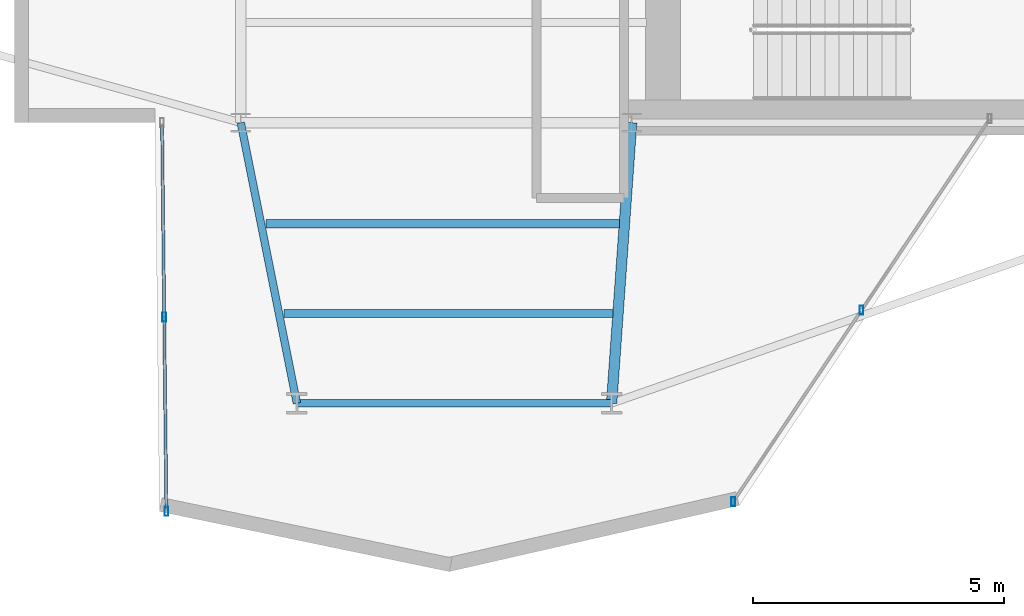
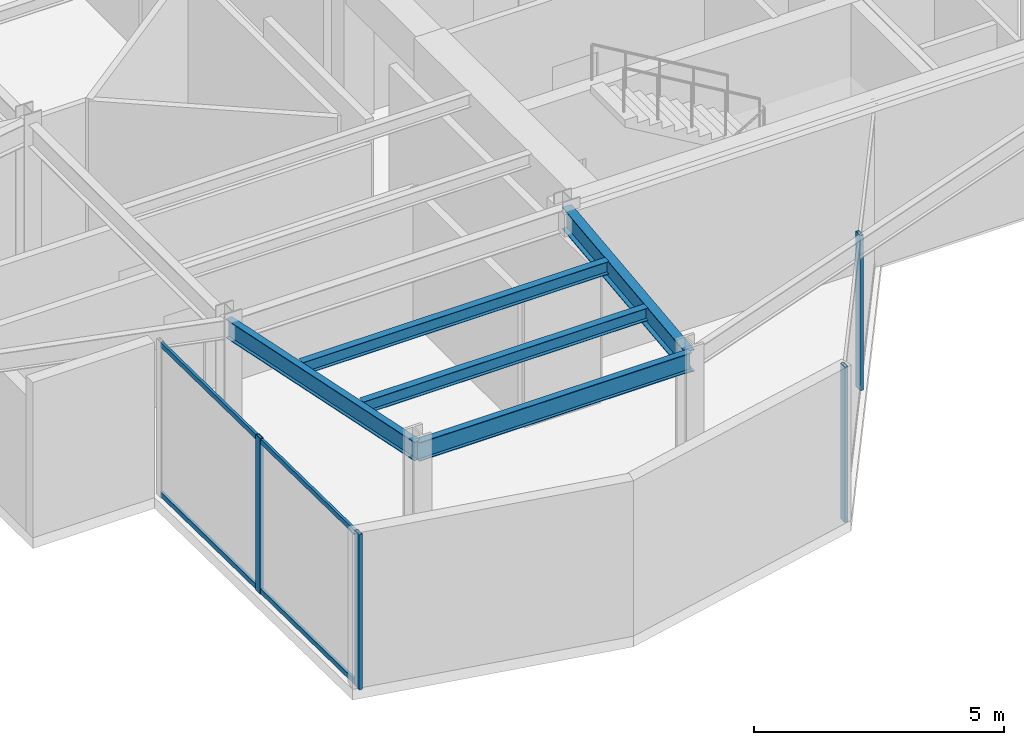
# One storey, part 6 of 22: 6 members, 5 beams, 2 elements without a shape of their own.
"""IFC4 building model written with IfcOpenShell, lengths in metres."""

from ifc_helpers import new_model, si_unit, direction, frame, origin, origin_2d, place, context, subcontext, project, spatial, hollow_rectangle, i_section, extrude, material, layer, layer_set, material_profile, profile_set, type_object, element, aggregate, save


model = new_model("IFC4")

# Units and contexts
model_context = context("Model", 3, precision=1e-05, world=origin(), true_north=direction((0.0, 1.0)))
body_context = subcontext(model_context, "Body", "Model", "MODEL_VIEW")
ifc_project = project(units=[si_unit("LENGTHUNIT", "METRE"), si_unit("AREAUNIT", "SQUARE_METRE"), si_unit("VOLUMEUNIT", "CUBIC_METRE"), si_unit("PLANEANGLEUNIT", "RADIAN"), si_unit("MASSUNIT", "GRAM", prefix="KILO")], contexts=[model_context])

# Site, building, storey
site_placement = place(None, origin())
site = spatial("IfcSite", under=ifc_project, at=site_placement, CompositionType="ELEMENT")
building_placement = place(site_placement, origin())
building = spatial("IfcBuilding", under=site, at=building_placement, Name="Veymaron Broadcast Tower", CompositionType="ELEMENT")
storey_placement = place(building_placement, frame((0.0, 0.0, 204.0)))
storey = spatial("IfcBuildingStorey", under=building, at=storey_placement, Name="L47", CompositionType="ELEMENT", Elevation=204.0)

# Beams
ifc_material_1 = material(Name="Structural steel ASTM A992 Gr 50", Category="steel")
ifc_material_profile_1 = material_profile(ifc_material_1, i_section(OverallWidth=0.2099609375, OverallDepth=0.537109375, WebThickness=0.010986328125, FlangeThickness=0.017333984375, at=origin_2d()), Name="W530X101")
ifc_profile_set_1 = profile_set([ifc_material_profile_1], Name="Structural steel ASTM A992 Gr 50")
beam_type_1 = type_object("IfcBeamType", Name="BM-FG3", PredefinedType="BEAM", material=ifc_profile_set_1)
beam_1_placement = place(storey_placement, frame((39.0, 16.0, 3.521484375), z_axis=(-0.071228508128, -0.997460024076, 0.0), x_axis=(0.997460024076, -0.071228508128, 0.0)))
element("IfcBeam", 1, at=beam_1_placement, inside=storey, type_object=beam_type_1, Name="L47 primary structural floor girder", PredefinedType="BEAM", context=body_context, shape_type="SweptSolid", body=[
    extrude(i_section(OverallWidth=0.2099609375, OverallDepth=0.537109375, WebThickness=0.010986328125, FlangeThickness=0.017333984375, at=origin_2d()), origin(), (0.0, 0.0, 1.0), 5.6142578125),
])
ifc_material_profile_2 = material_profile(ifc_material_1, i_section(OverallWidth=0.1650390625, OverallDepth=0.31005859375, WebThickness=0.005859375, FlangeThickness=0.009765625, at=origin_2d()), Name="W310X39")
ifc_profile_set_2 = profile_set([ifc_material_profile_2], Name="Structural steel ASTM A992 Gr 50")
beam_type_2 = type_object("IfcBeamType", Name="BM-JS3", PredefinedType="JOIST", material=ifc_profile_set_2)
beam_2_placement = place(storey_placement, frame((31.703125, 13.98388671875, 3.635009765625), z_axis=(1.0, 0.0, 0.0), x_axis=(0.0, 1.0, 0.0)))
element("IfcBeam", 2, at=beam_2_placement, inside=storey, type_object=beam_type_2, Name="L47 Arm-C secondary joist 1", PredefinedType="JOIST", context=body_context, shape_type="SweptSolid", body=[
    extrude(i_section(OverallWidth=0.1650390625, OverallDepth=0.31005859375, WebThickness=0.005859375, FlangeThickness=0.009765625, at=origin_2d()), origin(), (0.0, 0.0, 1.0), 7.052978515625),
])
beam_3_placement = place(storey_placement, frame((32.0615234375, 12.19189453125, 3.635009765625), z_axis=(1.0, 0.0, 0.0), x_axis=(0.0, 1.0, 0.0)))
element("IfcBeam", 3, at=beam_3_placement, inside=storey, type_object=beam_type_2, Name="L47 Arm-C secondary joist 2", PredefinedType="JOIST", context=body_context, shape_type="SweptSolid", body=[
    extrude(i_section(OverallWidth=0.1650390625, OverallDepth=0.31005859375, WebThickness=0.005859375, FlangeThickness=0.009765625, at=origin_2d()), origin(), (0.0, 0.0, 1.0), 6.56640625),
])
ifc_material_profile_3 = material_profile(ifc_material_1, i_section(OverallWidth=0.154052734375, OverallDepth=0.458984375, WebThickness=0.009033203125, FlangeThickness=0.015380859375, at=origin_2d()), Name="W460X68")
ifc_profile_set_3 = profile_set([ifc_material_profile_3], Name="Structural steel ASTM A992 Gr 50")
beam_type_3 = type_object("IfcBeamType", Name="BM-SP2", PredefinedType="SPANDREL", material=ifc_profile_set_3)
beam_4_placement = place(storey_placement, frame((31.199951171875, 16.0, 3.560546875), z_axis=(0.196132577048, -0.980577387166, 0.0), x_axis=(0.980577387166, 0.196132577048, 0.0)))
element("IfcBeam", 4, at=beam_4_placement, inside=storey, type_object=beam_type_3, Name="L47 primary structural floor girder", PredefinedType="SPANDREL", context=body_context, shape_type="SweptSolid", body=[
    extrude(i_section(OverallWidth=0.154052734375, OverallDepth=0.458984375, WebThickness=0.009033203125, FlangeThickness=0.015380859375, at=origin_2d()), origin(), (0.0, 0.0, 1.0), 5.7109375),
])
beam_5_placement = place(storey_placement, frame((32.320068359375, 10.39990234375, 3.560546875), z_axis=(1.0, 0.0, 0.0), x_axis=(0.0, 1.0, 0.0)))
element("IfcBeam", 5, at=beam_5_placement, inside=storey, type_object=beam_type_3, Name="L47 primary structural floor girder", PredefinedType="SPANDREL", context=body_context, shape_type="SweptSolid", body=[
    extrude(i_section(OverallWidth=0.154052734375, OverallDepth=0.458984375, WebThickness=0.009033203125, FlangeThickness=0.015380859375, at=origin_2d()), origin(), (0.0, 0.0, 1.0), 6.280029296875),
])

# Curtain wall, members
ifc_material_2 = material(Name="Anodised aluminium AA 6063-T6 and laminated low-E dark glass", Category="aluminium")
ifc_layer = layer(ifc_material_2, 0.179931640625)
ifc_layer_set = layer_set([ifc_layer], Name="Anodised aluminium AA 6063-T6 and laminated low-E dark glass")
curtain_wall_type = type_object("IfcCurtainWallType", Name="CW-SYS-05", PredefinedType="NOTDEFINED", material=ifc_layer_set)
curtain_wall_1_placement = place(storey_placement, origin())
curtain_wall_1 = element("IfcCurtainWall", 6, at=curtain_wall_1_placement, inside=storey, type_object=curtain_wall_type, Name="L47 dark-glass curtain wall CW-L47-E17-1", PredefinedType="NOTDEFINED")
ifc_material_3 = material(Name="Anodised aluminium AA 6063-T6", Category="aluminium")
ifc_material_profile_4 = material_profile(ifc_material_3, hollow_rectangle(XDim=0.074951171875, YDim=0.179931640625, WallThickness=0.0048828125, at=origin_2d()), Name="AL180X75X5")
ifc_profile_set_4 = profile_set([ifc_material_profile_4], Name="Anodised aluminium AA 6063-T6")
member_type_1 = type_object("IfcMemberType", Name="CW-MUL-02", PredefinedType="MULLION", material=ifc_profile_set_4)
member_1_placement = place(storey_placement, frame((29.672119140625, 12.12158203125, 0.0), z_axis=(0.0, 0.0, 1.0), x_axis=(1.0, 0.0, 0.0)))
member_1 = element("IfcMember", 7, at=member_1_placement, type_object=member_type_1, Name="CW-L47-E17-1 mullion 1", PredefinedType="MULLION", context=body_context, shape_type="SweptSolid", body=[
    extrude(hollow_rectangle(XDim=0.074951171875, YDim=0.179931640625, WallThickness=0.0048828125, at=origin_2d()), origin(), (0.0, 0.0, 1.0), 3.7900390625),
])
member_2_placement = place(storey_placement, frame((29.715576171875, 8.24169921875, 0.0), z_axis=(0.0, 0.0, 1.0), x_axis=(1.0, 0.0, 0.0)))
member_2 = element("IfcMember", 8, at=member_2_placement, type_object=member_type_1, Name="CW-L47-E17-1 mullion 2", PredefinedType="MULLION", context=body_context, shape_type="SweptSolid", body=[
    extrude(hollow_rectangle(XDim=0.074951171875, YDim=0.179931640625, WallThickness=0.0048828125, at=origin_2d()), origin(), (0.0, 0.0, 1.0), 3.7900390625),
])

curtain_wall_2_placement = place(storey_placement, origin())
curtain_wall_2 = element("IfcCurtainWall", 9, at=curtain_wall_2_placement, inside=storey, type_object=curtain_wall_type, Name="L47 dark-glass curtain wall CW-L47-E20-1", PredefinedType="NOTDEFINED")
member_3_placement = place(storey_placement, frame((41.0283203125, 8.43798828125, 0.0), z_axis=(0.0, 0.0, 1.0), x_axis=(1.0, 0.0, 0.0)))
member_3 = element("IfcMember", 10, at=member_3_placement, type_object=member_type_1, Name="CW-L47-E20-1 mullion 0", PredefinedType="MULLION", context=body_context, shape_type="SweptSolid", body=[
    extrude(hollow_rectangle(XDim=0.074951171875, YDim=0.179931640625, WallThickness=0.0048828125, at=origin_2d()), origin(), (0.0, 0.0, 1.0), 3.7900390625),
])
member_4_placement = place(storey_placement, frame((43.587890625, 12.2578125, 0.0), z_axis=(0.0, 0.0, 1.0), x_axis=(1.0, 0.0, 0.0)))
member_4 = element("IfcMember", 11, at=member_4_placement, type_object=member_type_1, Name="CW-L47-E20-1 mullion 1", PredefinedType="MULLION", context=body_context, shape_type="SweptSolid", body=[
    extrude(hollow_rectangle(XDim=0.074951171875, YDim=0.179931640625, WallThickness=0.0048828125, at=origin_2d()), origin(), (0.0, 0.0, 1.0), 3.7900390625),
])
aggregate(curtain_wall_2, [member_3, member_4])

# Member
ifc_material_profile_5 = material_profile(ifc_material_3, hollow_rectangle(XDim=0.06005859375, YDim=0.1201171875, WallThickness=0.00390625, at=origin_2d()), Name="AL120X60X4")
ifc_profile_set_5 = profile_set([ifc_material_profile_5], Name="Anodised aluminium AA 6063-T6")
member_type_2 = type_object("IfcMemberType", Name="CW-TRN-02", PredefinedType="USERDEFINED", material=ifc_profile_set_5)
member_5_placement = place(storey_placement, frame((29.62939453125, 15.95166015625, 0.070068359375), z_axis=(0.011154328977, -0.999937788537, 0.0), x_axis=(0.999937788537, 0.011154328977, 0.0)))
member_5 = element("IfcMember", 12, at=member_5_placement, type_object=member_type_2, Name="CW-L47-E17-1 transom B", ObjectType="TRANSOM", PredefinedType="USERDEFINED", context=body_context, shape_type="SweptSolid", body=[
    extrude(hollow_rectangle(XDim=0.06005859375, YDim=0.1201171875, WallThickness=0.00390625, at=origin_2d()), origin(), (0.0, 0.0, 1.0), 7.66064453125),
])

member_6_placement = place(storey_placement, frame((29.62939453125, 15.95166015625, 3.719970703125), z_axis=(0.011154328977, -0.999937788537, 0.0), x_axis=(0.999937788537, 0.011154328977, 0.0)))
member_6 = element("IfcMember", 13, at=member_6_placement, type_object=member_type_2, Name="CW-L47-E17-1 transom T", ObjectType="TRANSOM", PredefinedType="USERDEFINED", context=body_context, shape_type="SweptSolid", body=[
    extrude(hollow_rectangle(XDim=0.06005859375, YDim=0.1201171875, WallThickness=0.00390625, at=origin_2d()), origin(), (0.0, 0.0, 1.0), 7.66064453125),
])

aggregate(curtain_wall_1, [member_1, member_2, member_5, member_6])

save(model, "model.ifc")
